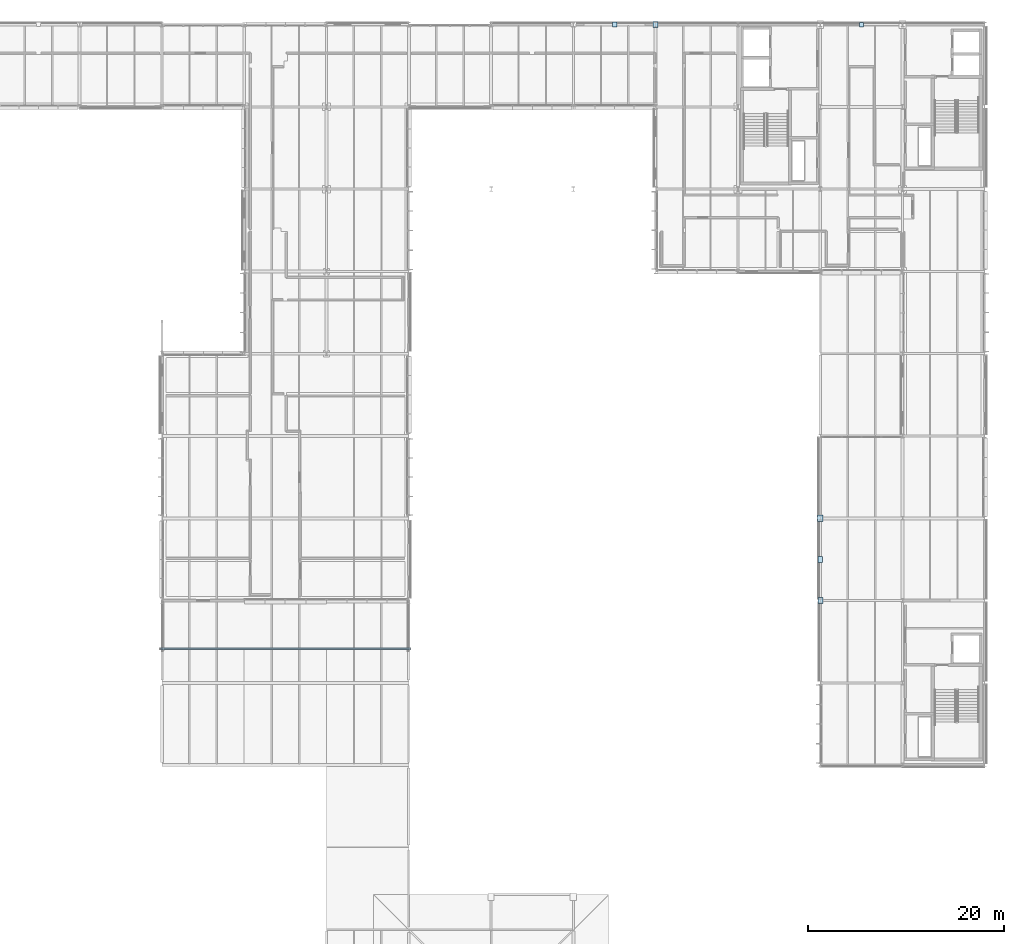
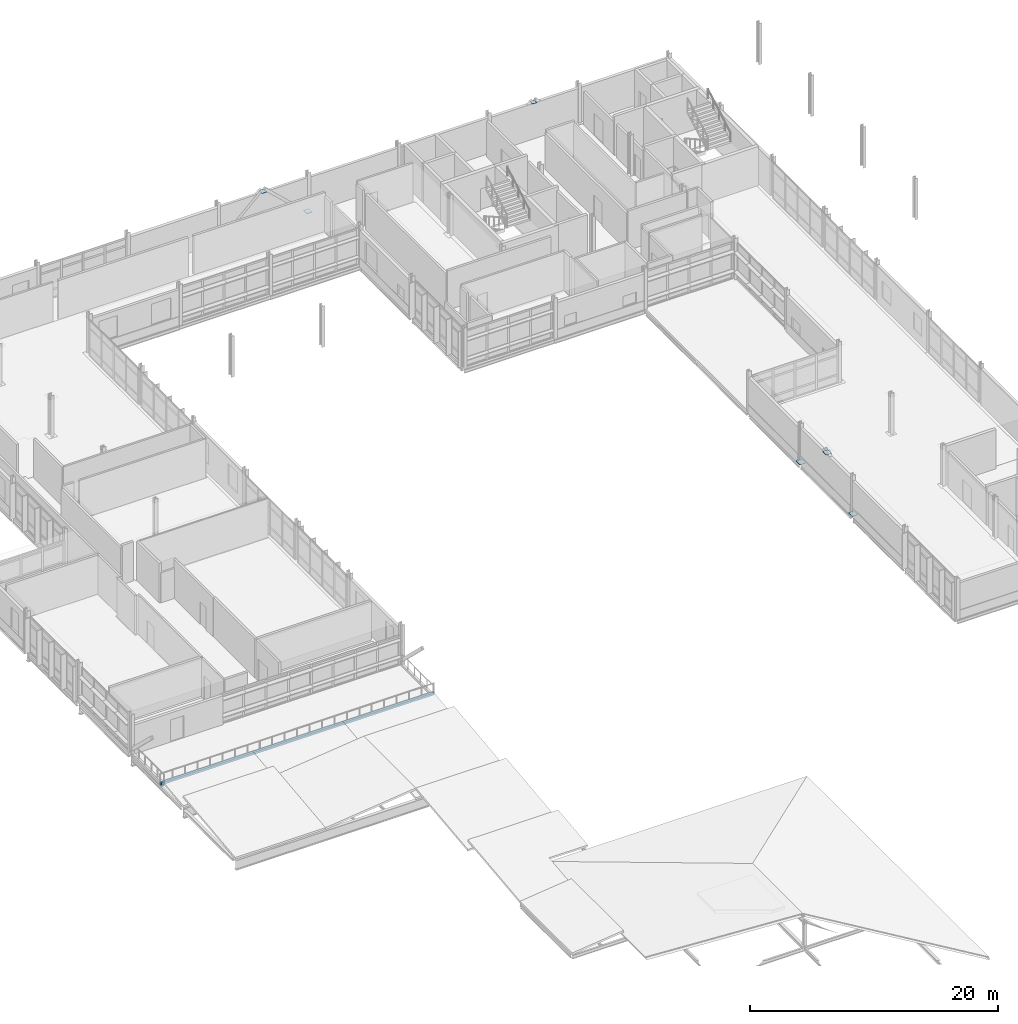
# One storey, part 83 of 103: 6 plates, 1 wall.
"""IFC4 building model written with IfcOpenShell, lengths in metres."""

from ifc_helpers import new_model, si_unit, direction, frame, frame_2d, origin, origin_2d, place, context, subcontext, project, spatial, rectangle, extrude, material, layer, layer_set, type_object, element, save


model = new_model("IFC4")

# Units and contexts
model_context = context("Model", 3, precision=1e-05, world=origin(), true_north=direction((0.0, 1.0)))
body_context = subcontext(model_context, "Body", "Model", "MODEL_VIEW")
ifc_project = project(units=[si_unit("LENGTHUNIT", "METRE"), si_unit("AREAUNIT", "SQUARE_METRE"), si_unit("VOLUMEUNIT", "CUBIC_METRE"), si_unit("PLANEANGLEUNIT", "RADIAN"), si_unit("MASSUNIT", "GRAM", prefix="KILO")], contexts=[model_context])

# Site, building, storey
site_placement = place(None, origin())
site = spatial("IfcSite", under=ifc_project, at=site_placement, CompositionType="ELEMENT")
building_placement = place(site_placement, origin())
building = spatial("IfcBuilding", under=site, at=building_placement, Name="Mersafa Astral City Hall", CompositionType="ELEMENT")
storey_placement = place(building_placement, frame((0.0, 0.0, 18.0)))
storey = spatial("IfcBuildingStorey", under=building, at=storey_placement, Name="L04", CompositionType="ELEMENT", Elevation=18.0)

# Plates
ifc_material_1 = material(Name="Steel S355", Category="steel")
ifc_layer_1 = layer(ifc_material_1, 0.01611328125, Name="Steel S355")
ifc_layer_set_1 = layer_set([ifc_layer_1], Name="Steel S355 — STR-PLT-NP-23")
plate_type_1 = type_object("IfcPlateType", Name="STR-PLT-NP-23", PredefinedType="SHEET", material=ifc_layer_set_1)
plate_1_placement = place(storey_placement, frame((159.60009765625, 71.39990234375, 3.60205078125), z_axis=(0.0, 0.0, 1.0), x_axis=(1.0, 0.0, 0.0)))
element("IfcPlate", 1, at=plate_1_placement, inside=storey, type_object=plate_type_1, Name="L04 Structural steel brace gusset plate NP-23", PredefinedType="SHEET", context=body_context, shape_type="SweptSolid", body=[
    extrude(rectangle(XDim=0.485107421875, YDim=0.60009765625, at=origin_2d()), origin(), (0.0, 0.0, 1.0), 0.01611328125),
])
ifc_layer_2 = layer(ifc_material_1, 0.01708984375, Name="Steel S355")
ifc_layer_set_2 = layer_set([ifc_layer_2], Name="Steel S355 — STR-PLT-NP-24")
plate_type_2 = type_object("IfcPlateType", Name="STR-PLT-NP-24", PredefinedType="SHEET", material=ifc_layer_set_2)
plate_2_placement = place(storey_placement, frame((159.60009765625, 67.197998046875, 0.111572265625), z_axis=(0.0, 0.0, 1.0), x_axis=(1.0, 0.0, 0.0)))
element("IfcPlate", 2, at=plate_2_placement, inside=storey, type_object=plate_type_2, Name="L04 Structural steel brace gusset plate NP-24", PredefinedType="SHEET", context=body_context, shape_type="SweptSolid", body=[
    extrude(rectangle(XDim=0.510009765625, YDim=0.6298828125, at=origin_2d()), origin(), (0.0, 0.0, 1.0), 0.01708984375),
])
ifc_layer_3 = layer(ifc_material_1, 0.01806640625, Name="Steel S355")
ifc_layer_set_3 = layer_set([ifc_layer_3], Name="Steel S355 — STR-PLT-NP-25")
plate_type_3 = type_object("IfcPlateType", Name="STR-PLT-NP-25", PredefinedType="SHEET", material=ifc_layer_set_3)
plate_3_placement = place(storey_placement, frame((159.60009765625, 75.60205078125, 0.111083984375), z_axis=(0.0, 0.0, 1.0), x_axis=(1.0, 0.0, 0.0)))
element("IfcPlate", 3, at=plate_3_placement, inside=storey, type_object=plate_type_3, Name="L04 Structural steel brace gusset plate NP-25", PredefinedType="SHEET", context=body_context, shape_type="SweptSolid", body=[
    extrude(rectangle(XDim=0.534912109375, YDim=0.659912109375, at=origin_2d()), origin(), (0.0, 0.0, 1.0), 0.01806640625),
])
ifc_layer_4 = layer(ifc_material_1, 0.01611328125, Name="Steel S355")
ifc_layer_set_4 = layer_set([ifc_layer_4], Name="Steel S355 — STR-PLT-NP-3")
plate_type_4 = type_object("IfcPlateType", Name="STR-PLT-NP-3", PredefinedType="SHEET", material=ifc_layer_set_4)
plate_4_placement = place(storey_placement, frame((163.800048828125, 126.0, 3.511962890625), z_axis=(0.0, 0.0, 1.0), x_axis=(1.0, 0.0, 0.0)))
element("IfcPlate", 4, at=plate_4_placement, inside=storey, type_object=plate_type_4, Name="L04 Structural steel brace gusset plate NP-3", PredefinedType="SHEET", context=body_context, shape_type="SweptSolid", body=[
    extrude(rectangle(XDim=0.409912109375, YDim=0.4599609375, at=origin_2d()), origin(), (0.0, 0.0, 1.0), 0.01611328125),
])
ifc_layer_5 = layer(ifc_material_1, 0.01806640625, Name="Steel S355")
ifc_layer_set_5 = layer_set([ifc_layer_5], Name="Steel S355 — STR-PLT-NP-5")
plate_type_5 = type_object("IfcPlateType", Name="STR-PLT-NP-5", PredefinedType="SHEET", material=ifc_layer_set_5)
plate_5_placement = place(storey_placement, frame((138.60009765625, 126.0, 3.541015625), z_axis=(0.0, 0.0, 1.0), x_axis=(1.0, 0.0, 0.0)))
element("IfcPlate", 5, at=plate_5_placement, inside=storey, type_object=plate_type_5, Name="L04 Structural steel brace gusset plate NP-5", PredefinedType="SHEET", context=body_context, shape_type="SweptSolid", body=[
    extrude(rectangle(XDim=0.4599609375, YDim=0.52001953125, at=origin_2d()), origin(), (0.0, 0.0, 1.0), 0.01806640625),
])
ifc_layer_6 = layer(ifc_material_1, 0.02001953125, Name="Steel S355")
ifc_layer_set_6 = layer_set([ifc_layer_6], Name="Steel S355 — STR-PLT-NP-7")
plate_type_6 = type_object("IfcPlateType", Name="STR-PLT-NP-7", PredefinedType="SHEET", material=ifc_layer_set_6)
plate_6_placement = place(storey_placement, frame((142.802001953125, 126.0, 0.110107421875), z_axis=(0.0, 0.0, 1.0), x_axis=(1.0, 0.0, 0.0)))
element("IfcPlate", 6, at=plate_6_placement, inside=storey, type_object=plate_type_6, Name="L04 Structural steel brace gusset plate NP-7", PredefinedType="SHEET", context=body_context, shape_type="SweptSolid", body=[
    extrude(rectangle(XDim=0.510009765625, YDim=0.580078125, at=origin_2d()), origin(), (0.0, 0.0, 1.0), 0.02001953125),
])

# Wall
ifc_material_2 = material(Name="Precast concrete C40/50 parapet", Category="concrete")
ifc_layer_7 = layer(ifc_material_2, 0.199951171875, Name="Precast concrete C40/50 parapet")
ifc_layer_set_7 = layer_set([ifc_layer_7], Name="Precast concrete C40/50 parapet — ENV-WAL-PAR-200")
wall_type = type_object("IfcWallType", Name="ENV-WAL-PAR-200", PredefinedType="PARAPET", material=ifc_layer_set_7)
wall_placement = place(storey_placement, frame((92.260009765625, 62.27001953125, 0.0), z_axis=(0.0, 0.0, 1.0), x_axis=(1.0, 0.0, 0.0)))
element("IfcWall", 7, at=wall_placement, inside=storey, type_object=wall_type, Name="L04 Terrace stone kerb parapet 10", PredefinedType="PARAPET", context=body_context, shape_type="SweptSolid", body=[
    extrude(rectangle(XDim=25.47998046875, YDim=0.199951171875, at=frame_2d((12.739990234375, 0.0))), origin(), (0.0, 0.0, 1.0), 0.219970703125),
])

save(model, "model.ifc")
